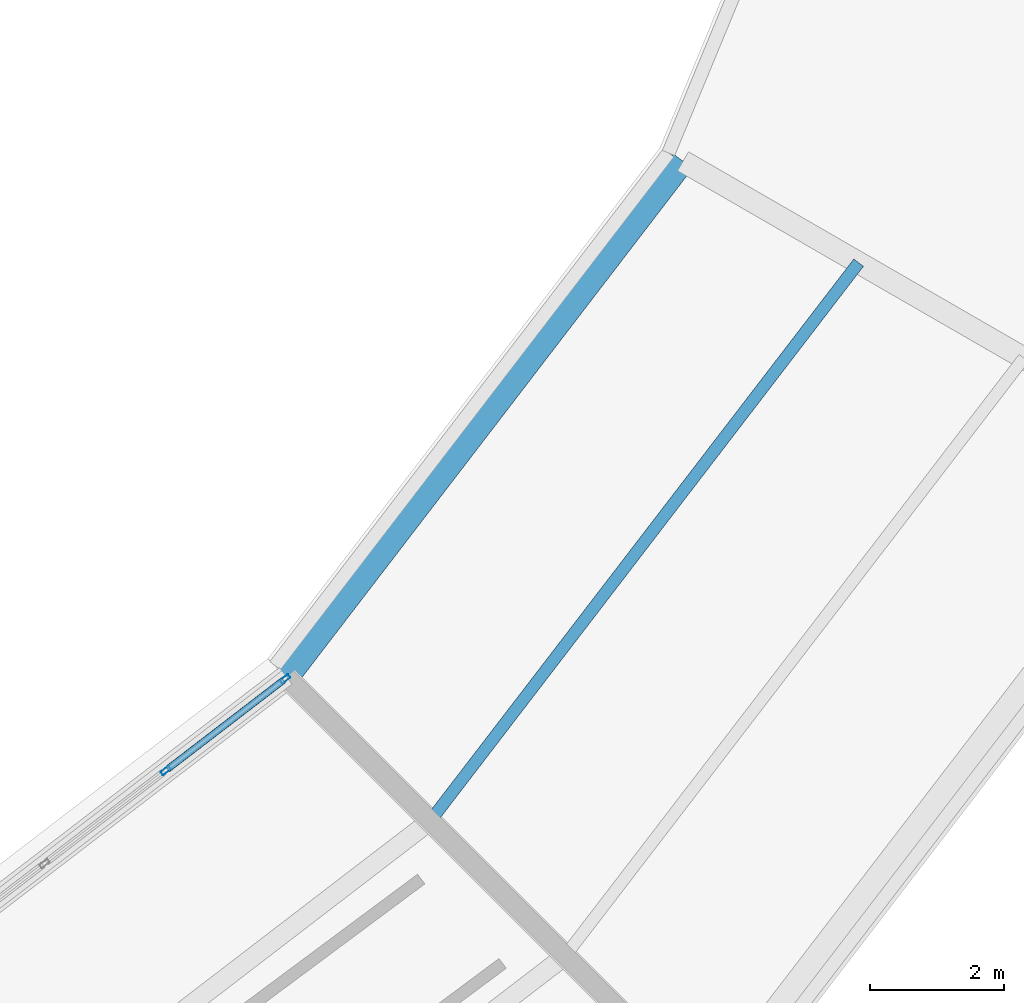
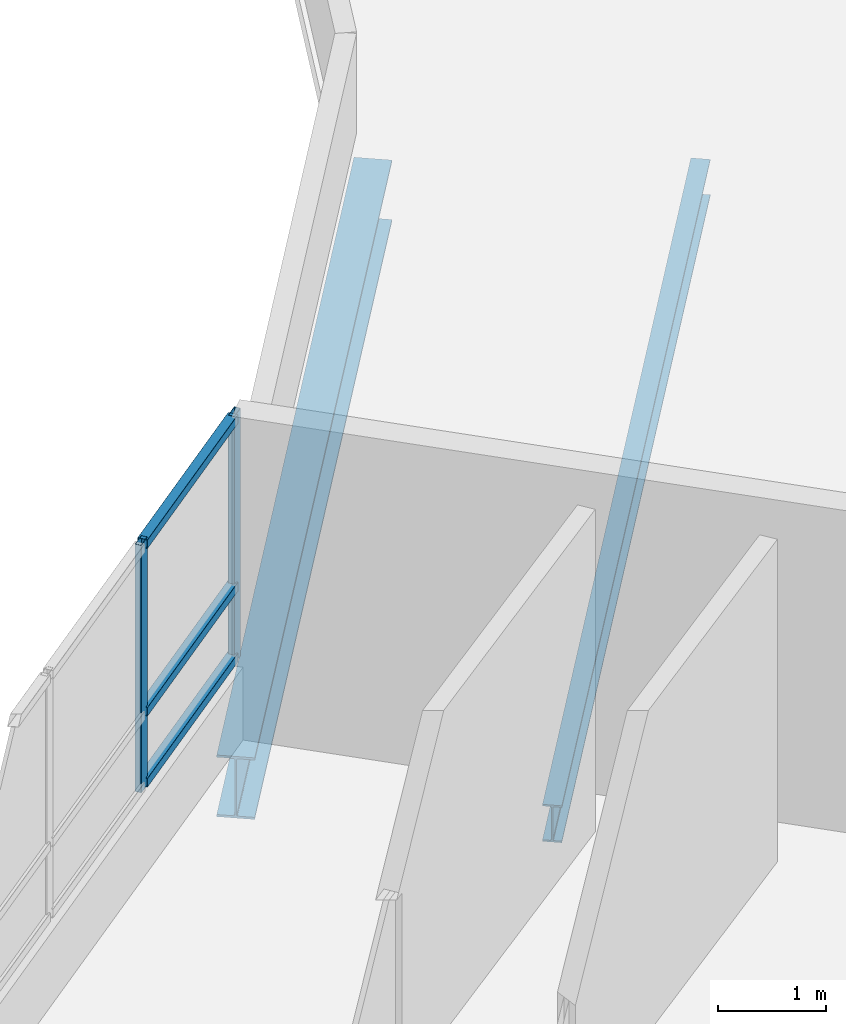
# One storey, part 29 of 88: 5 members, 2 beams, 1 element without a shape of its own.
"""IFC4 building model written with IfcOpenShell, lengths in metres."""

from ifc_helpers import new_model, si_unit, direction, frame, origin, origin_2d, place, context, subcontext, project, spatial, hollow_rectangle, i_section, extrude, material, layer, layer_set, material_profile, profile_set, type_object, element, aggregate, save


model = new_model("IFC4")

# Units and contexts
model_context = context("Model", 3, precision=1e-05, world=origin(), true_north=direction((0.0, 1.0)))
body_context = subcontext(model_context, "Body", "Model", "MODEL_VIEW")
ifc_project = project(units=[si_unit("LENGTHUNIT", "METRE"), si_unit("AREAUNIT", "SQUARE_METRE"), si_unit("VOLUMEUNIT", "CUBIC_METRE"), si_unit("PLANEANGLEUNIT", "RADIAN"), si_unit("MASSUNIT", "GRAM", prefix="KILO")], contexts=[model_context])

# Site, building, storey
site_placement = place(None, origin())
site = spatial("IfcSite", under=ifc_project, at=site_placement, CompositionType="ELEMENT")
building_placement = place(site_placement, origin())
building = spatial("IfcBuilding", under=site, at=building_placement, Name="Vespera Passage Community Centre", CompositionType="ELEMENT")
storey_placement = place(building_placement, frame((0.0, 0.0, 16.5)))
storey = spatial("IfcBuildingStorey", under=building, at=storey_placement, Name="L04", CompositionType="ELEMENT", Elevation=16.5)

# Beams
ifc_material_1 = material(Name="Steel ASTM A992 Grade 50", Category="steel")
ifc_material_profile_1 = material_profile(ifc_material_1, i_section(OverallWidth=0.180908203125, OverallDepth=0.417236328125, WebThickness=0.010986328125, FlangeThickness=0.018310546875, FilletRadius=0.01025390625, at=origin_2d()), Name="W16X57")
ifc_profile_set_1 = profile_set([ifc_material_profile_1], Name="Steel ASTM A992 Grade 50")
beam_type_1 = type_object("IfcBeamType", Name="BM-J-W16X57", PredefinedType="JOIST", material=ifc_profile_set_1)
beam_1_placement = place(storey_placement, frame((106.444091796875, 37.055908203125, -0.5087890625), z_axis=(0.608757534533, 0.793356328613, 0.0), x_axis=(-0.793356328613, 0.608757534533, 0.0)))
element("IfcBeam", 1, at=beam_1_placement, inside=storey, type_object=beam_type_1, Name="V4 L04 Floor Joist 21.1", PredefinedType="JOIST", context=body_context, shape_type="SweptSolid", body=[
    extrude(i_section(OverallWidth=0.180908203125, OverallDepth=0.417236328125, WebThickness=0.010986328125, FlangeThickness=0.018310546875, FilletRadius=0.01025390625, at=origin_2d()), origin(), (0.0, 0.0, 1.0), 10.5009765625),
])
ifc_material_2 = material(Name="Steel ASTM A992 Grade 50", Category="steel")
ifc_material_profile_2 = material_profile(ifc_material_2, i_section(OverallWidth=0.3544921875, OverallDepth=0.695556640625, WebThickness=0.015380859375, FlangeThickness=0.024658203125, FilletRadius=0.01513671875, at=origin_2d()), Name="W27X146")
ifc_profile_set_2 = profile_set([ifc_material_profile_2], Name="Steel ASTM A992 Grade 50")
beam_type_2 = type_object("IfcBeamType", Name="BM-SP-W27X146E", PredefinedType="SPANDREL", material=ifc_profile_set_2)
beam_2_placement = place(storey_placement, frame((104.304443359375, 39.195556640625, -0.647705078125), z_axis=(0.60875291963, 0.793359869694, 0.0), x_axis=(-0.793359869694, 0.60875291963, 0.0)))
element("IfcBeam", 2, at=beam_2_placement, inside=storey, type_object=beam_type_2, Name="V4 L04 Inner Spandrel 21", PredefinedType="SPANDREL", context=body_context, shape_type="SweptSolid", body=[
    extrude(i_section(OverallWidth=0.3544921875, OverallDepth=0.695556640625, WebThickness=0.015380859375, FlangeThickness=0.024658203125, FilletRadius=0.01513671875, at=origin_2d()), origin(), (0.0, 0.0, 1.0), 9.7109375),
])

# Curtain wall, members
ifc_material_3 = material(Name="Anodized aluminium 6063-T6", Category="aluminium")
ifc_layer = layer(ifc_material_3, 0.159912109375)
ifc_layer_set = layer_set([ifc_layer], Name="Anodized aluminium 6063-T6")
curtain_wall_type = type_object("IfcCurtainWallType", Name="CW-68E", PredefinedType="NOTDEFINED", material=ifc_layer_set)
curtain_wall_placement = place(storey_placement, origin())
curtain_wall = element("IfcCurtainWall", 3, at=curtain_wall_placement, inside=storey, type_object=curtain_wall_type, Name="V4 L04 Inner Court Curtain Wall 20", PredefinedType="NOTDEFINED")
ifc_material_4 = material(Name="Anodized aluminium 6063-T6", Category="aluminium")
ifc_material_profile_3 = material_profile(ifc_material_4, hollow_rectangle(XDim=0.06494140625, YDim=0.14990234375, WallThickness=0.00390625, InnerFilletRadius=0.001953125, OuterFilletRadius=0.00390625, at=origin_2d()), Name="ALU150X65X4")
ifc_profile_set_3 = profile_set([ifc_material_profile_3], Name="Anodized aluminium 6063-T6")
member_type_1 = type_object("IfcMemberType", Name="MB-CWM-150E", PredefinedType="MULLION", material=ifc_profile_set_3)
member_1_placement = place(storey_placement, frame((102.495849609375, 37.807861328125, 0.820068359375), z_axis=(0.0, 0.0, 1.0), x_axis=(-0.608755218694, 0.793358105594, 0.0)))
member_1 = element("IfcMember", 4, at=member_1_placement, type_object=member_type_1, Name="CW-68E mullion 4", PredefinedType="MULLION", context=body_context, shape_type="SweptSolid", body=[
    extrude(hollow_rectangle(XDim=0.06494140625, YDim=0.14990234375, WallThickness=0.00390625, InnerFilletRadius=0.001953125, OuterFilletRadius=0.00390625, at=origin_2d()), origin(), (0.0, 0.0, 1.0), 2.7900390625),
])
member_2_placement = place(storey_placement, frame((104.278564453125, 39.17578125, 0.820068359375), z_axis=(0.0, 0.0, 1.0), x_axis=(-0.608755218694, 0.793358105594, 0.0)))
member_2 = element("IfcMember", 5, at=member_2_placement, type_object=member_type_1, Name="CW-68E mullion 5", PredefinedType="MULLION", context=body_context, shape_type="SweptSolid", body=[
    extrude(hollow_rectangle(XDim=0.06494140625, YDim=0.14990234375, WallThickness=0.00390625, InnerFilletRadius=0.001953125, OuterFilletRadius=0.00390625, at=origin_2d()), origin(), (0.0, 0.0, 1.0), 2.7900390625),
])
ifc_material_5 = material(Name="Anodized aluminium 6063-T6", Category="aluminium")
ifc_material_profile_4 = material_profile(ifc_material_5, hollow_rectangle(XDim=0.10009765625, YDim=0.10009765625, WallThickness=0.00390625, InnerFilletRadius=0.001953125, OuterFilletRadius=0.00390625, at=origin_2d()), Name="ALU100X100X4")
ifc_profile_set_4 = profile_set([ifc_material_profile_4], Name="Anodized aluminium 6063-T6")
member_type_2 = type_object("IfcMemberType", Name="MB-CWT-100E", PredefinedType="USERDEFINED", material=ifc_profile_set_4)
member_3_placement = place(storey_placement, frame((102.521728515625, 37.82763671875, 0.8701171875), z_axis=(0.79335959059, 0.608753283374, 0.0), x_axis=(-0.608753283374, 0.79335959059, 0.0)))
member_3 = element("IfcMember", 6, at=member_3_placement, type_object=member_type_2, Name="CW-68E transom 4.1", ObjectType="TRANSOM", PredefinedType="USERDEFINED", context=body_context, shape_type="SweptSolid", body=[
    extrude(hollow_rectangle(XDim=0.10009765625, YDim=0.10009765625, WallThickness=0.00390625, InnerFilletRadius=0.001953125, OuterFilletRadius=0.00390625, at=origin_2d()), origin(), (0.0, 0.0, 1.0), 2.18212890625),
])
member_4_placement = place(storey_placement, frame((102.521728515625, 37.82763671875, 1.669921875), z_axis=(0.79335959059, 0.608753283374, 0.0), x_axis=(-0.608753283374, 0.79335959059, 0.0)))
member_4 = element("IfcMember", 7, at=member_4_placement, type_object=member_type_2, Name="CW-68E transom 4.2", ObjectType="TRANSOM", PredefinedType="USERDEFINED", context=body_context, shape_type="SweptSolid", body=[
    extrude(hollow_rectangle(XDim=0.10009765625, YDim=0.10009765625, WallThickness=0.00390625, InnerFilletRadius=0.001953125, OuterFilletRadius=0.00390625, at=origin_2d()), origin(), (0.0, 0.0, 1.0), 2.18212890625),
])
member_5_placement = place(storey_placement, frame((102.521728515625, 37.82763671875, 3.56005859375), z_axis=(0.79335959059, 0.608753283374, 0.0), x_axis=(-0.608753283374, 0.79335959059, 0.0)))
member_5 = element("IfcMember", 8, at=member_5_placement, type_object=member_type_2, Name="CW-68E transom 4.3", ObjectType="TRANSOM", PredefinedType="USERDEFINED", context=body_context, shape_type="SweptSolid", body=[
    extrude(hollow_rectangle(XDim=0.10009765625, YDim=0.10009765625, WallThickness=0.00390625, InnerFilletRadius=0.001953125, OuterFilletRadius=0.00390625, at=origin_2d()), origin(), (0.0, 0.0, 1.0), 2.18212890625),
])
aggregate(curtain_wall, [member_1, member_2, member_3, member_4, member_5])

save(model, "model.ifc")
